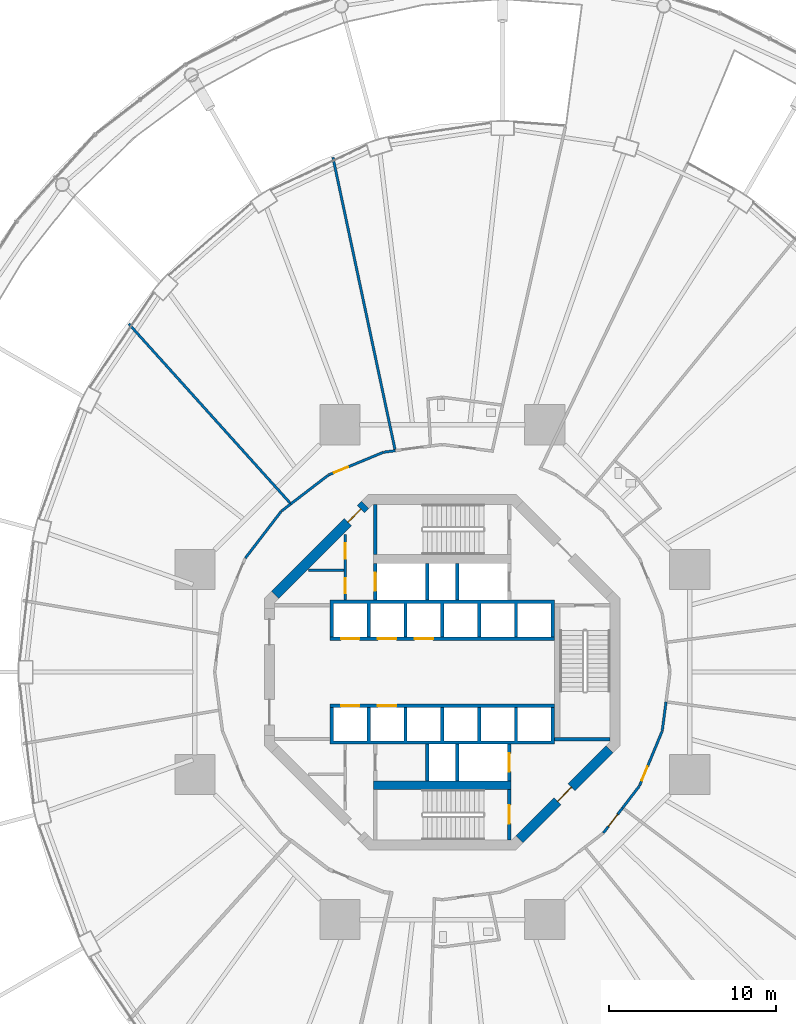
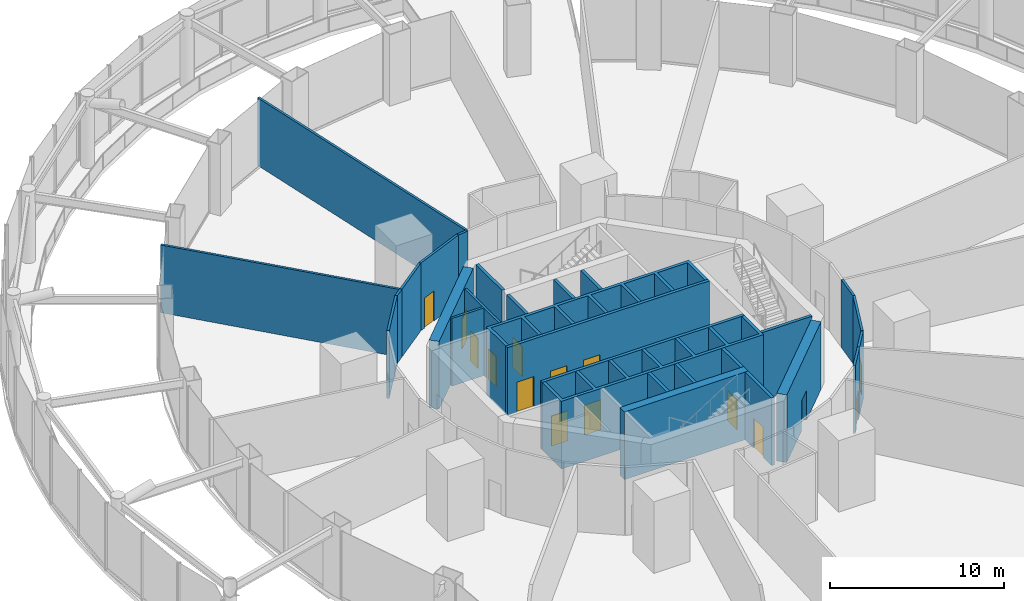
# One storey, part 45 of 52: 29 walls, 15 doors, 15 openings.
"""IFC4 building model written with IfcOpenShell, lengths in metres."""

from ifc_helpers import new_model, si_unit, direction, frame, frame_2d, origin, place, context, subcontext, project, spatial, polyline, rectangle, outline, extrude, material, layer, layer_set, type_object, element, fill, save


model = new_model("IFC4")

# Units and contexts
model_context = context("Model", 3, precision=1e-05, world=origin(), true_north=direction((0.0, 1.0)))
body_context = subcontext(model_context, "Body", "Model", "MODEL_VIEW")
ifc_project = project(units=[si_unit("LENGTHUNIT", "METRE"), si_unit("AREAUNIT", "SQUARE_METRE"), si_unit("VOLUMEUNIT", "CUBIC_METRE"), si_unit("PLANEANGLEUNIT", "RADIAN"), si_unit("MASSUNIT", "GRAM", prefix="KILO")], contexts=[model_context])

# Site, building, storey
site_placement = place(None, origin())
site = spatial("IfcSite", under=ifc_project, at=site_placement, CompositionType="ELEMENT")
building_placement = place(site_placement, origin())
building = spatial("IfcBuilding", under=site, at=building_placement, Name="Nagisa Residences", CompositionType="ELEMENT")
storey_placement = place(building_placement, frame((0.0, 0.0, 22.0)))
storey = spatial("IfcBuildingStorey", under=building, at=storey_placement, Name="L04", CompositionType="ELEMENT", Elevation=22.0)

# Wall, openings, doors
ifc_material_1 = material(Name="Gypsum board on steel studs", Category="steel")
ifc_layer_1 = layer(ifc_material_1, 0.14990234375)
ifc_layer_set_1 = layer_set([ifc_layer_1], Name="Core partition 150")
wall_type_1 = type_object("IfcWallType", Name="Core partition 150", PredefinedType="PARTITIONING", material=ifc_layer_set_1)
wall_1_placement = place(storey_placement, frame((-5.800048828125, 4.300048828125, 0.0), z_axis=(0.0, 0.0, 1.0), x_axis=(0.0, 1.0, 0.0)))
wall_1 = element("IfcWall", 1, at=wall_1_placement, inside=storey, type_object=wall_type_1, Name="wall:L04:NWp", PredefinedType="PARTITIONING", context=body_context, shape_type="SweptSolid", body=[
    extrude(rectangle(XDim=3.927001953125, YDim=0.14990234375, at=frame_2d((1.96337890625, 0.0))), origin(), (0.0, 0.0, 1.0), 4.739990234375),
])
opening_1_placement = place(wall_1_placement, frame((0.41259765625, 0.0, 0.0)))
opening_1 = element("IfcOpeningElement", 2, at=opening_1_placement, cuts=wall_1, Name="Opening L04-C12", PredefinedType="OPENING", context=body_context, shape_type="SweptSolid", body=[
    extrude(rectangle(XDim=0.89990234375, YDim=2.10009765625, at=frame_2d((0.449951171875, 1.050048828125))), frame((0.0, 0.0849609375, 0.0), z_axis=(0.0, -1.0, 0.0), x_axis=(1.0, 0.0, 0.0)), (0.0, 0.0, 1.0), 0.169921875),
])
opening_2_placement = place(wall_1_placement, frame((2.488525390625, 0.0, 0.0)))
opening_2 = element("IfcOpeningElement", 3, at=opening_2_placement, cuts=wall_1, Name="Opening L04-C13", PredefinedType="OPENING", context=body_context, shape_type="SweptSolid", body=[
    extrude(rectangle(XDim=0.89990234375, YDim=2.10009765625, at=frame_2d((0.449951171875, 1.050048828125))), frame((0.0, 0.0849609375, 0.0), z_axis=(0.0, -1.0, 0.0), x_axis=(1.0, 0.0, 0.0)), (0.0, 0.0, 1.0), 0.169921875),
])
ifc_material_2 = material(Name="Steel fire door", Category="steel")
door_type_1 = type_object("IfcDoorType", Name="Fire door EI30 900x2100 single swing", OperationType="NOTDEFINED", PredefinedType="DOOR", material=ifc_material_2)
door_1_placement = place(opening_1_placement, origin())
door_1 = element("IfcDoor", 4, at=door_1_placement, inside=storey, type_object=door_type_1, Name="Linen store door L04", OperationType="SINGLE_SWING_RIGHT", OverallHeight=2.10009765625, OverallWidth=0.89990234375, PredefinedType="DOOR", context=body_context, shape_type="SweptSolid", body=[
    extrude(rectangle(XDim=0.89990234375, YDim=2.10009765625, at=frame_2d((0.449951171875, 1.050048828125))), frame((0.0, 0.02490234375, 0.0), z_axis=(0.0, -1.0, 0.0), x_axis=(1.0, 0.0, 0.0)), (0.0, 0.0, 1.0), 0.050048828125),
])
fill(opening_1, door_1)
door_2_placement = place(opening_2_placement, origin())
door_2 = element("IfcDoor", 5, at=door_2_placement, inside=storey, type_object=door_type_1, Name="Refuse room door L04", OperationType="SINGLE_SWING_RIGHT", OverallHeight=2.10009765625, OverallWidth=0.89990234375, PredefinedType="DOOR", context=body_context, shape_type="SweptSolid", body=[
    extrude(rectangle(XDim=0.89990234375, YDim=2.10009765625, at=frame_2d((0.449951171875, 1.050048828125))), frame((0.0, 0.02490234375, 0.0), z_axis=(0.0, -1.0, 0.0), x_axis=(1.0, 0.0, 0.0)), (0.0, 0.0, 1.0), 0.050048828125),
])
fill(opening_2, door_2)

# Wall
wall_2_placement = place(storey_placement, frame((-8.0009765625, 6.10009765625, 0.0), z_axis=(0.0, 0.0, 1.0), x_axis=(1.0, 0.0, 0.0)))
element("IfcWall", 6, at=wall_2_placement, inside=storey, type_object=wall_type_1, Name="wall:L04:NWq", PredefinedType="PARTITIONING", context=body_context, shape_type="SweptSolid", body=[
    extrude(rectangle(XDim=2.1259765625, YDim=0.14990234375, at=frame_2d((1.06298828125, 0.0))), origin(), (0.0, 0.0, 1.0), 4.739990234375),
])

# Wall, opening, door
ifc_material_3 = material(Name="Concrete C60", Category="concrete")
ifc_layer_2 = layer(ifc_material_3, 0.60009765625)
ifc_layer_set_2 = layer_set([ifc_layer_2], Name="Core shear wall 600")
wall_type_2 = type_object("IfcWallType", Name="Core shear wall 600", PredefinedType="SHEAR", material=ifc_layer_set_2)
wall_3_placement = place(storey_placement, frame((-4.613037109375, 9.98828125, 0.0), z_axis=(0.0, 0.0, 1.0), x_axis=(-0.707106781187, -0.707106781187, 0.0)))
wall_3 = element("IfcWall", 7, at=wall_3_placement, inside=storey, type_object=wall_type_2, Name="wall:L04:core:flat3", PredefinedType="SHEAR", context=body_context, shape_type="SweptSolid", body=[
    extrude(rectangle(XDim=7.601806640625, YDim=0.60009765625, at=frame_2d((3.80078125, 0.0))), origin(), (0.0, 0.0, 1.0), 4.739990234375),
])
opening_3_placement = place(wall_3_placement, frame((0.350830078125, 0.0, 0.0)))
opening_3 = element("IfcOpeningElement", 8, at=opening_3_placement, cuts=wall_3, Name="Opening L04-C21", PredefinedType="OPENING", context=body_context, shape_type="SweptSolid", body=[
    extrude(rectangle(XDim=1.10009765625, YDim=2.10009765625, at=frame_2d((0.550048828125, 1.050048828125))), frame((0.0, 0.31005859375, 0.0), z_axis=(0.0, -1.0, 0.0), x_axis=(1.0, 0.0, 0.0)), (0.0, 0.0, 1.0), 0.6201171875),
])
ifc_material_4 = material(Name="Steel fire door", Category="steel")
door_type_2 = type_object("IfcDoorType", Name="Fire door EI60 1100x2100 single swing", OperationType="NOTDEFINED", PredefinedType="DOOR", material=ifc_material_4)
door_3_placement = place(opening_3_placement, origin())
door_3 = element("IfcDoor", 9, at=door_3_placement, inside=storey, type_object=door_type_2, Name="Service lobby door L04", OperationType="SINGLE_SWING_LEFT", OverallHeight=2.10009765625, OverallWidth=1.10009765625, PredefinedType="DOOR", context=body_context, shape_type="SweptSolid", body=[
    extrude(rectangle(XDim=1.10009765625, YDim=2.10009765625, at=frame_2d((0.550048828125, 1.050048828125))), frame((0.0, 0.02490234375, 0.0), z_axis=(0.0, -1.0, 0.0), x_axis=(1.0, 0.0, 0.0)), (0.0, 0.0, 1.0), 0.050048828125),
])
fill(opening_3, door_3)

wall_4_placement = place(storey_placement, frame((4.613037109375, -9.98828125, 0.0), z_axis=(0.0, 0.0, 1.0), x_axis=(0.707106781187, 0.707106781187, 0.0)))
wall_4 = element("IfcWall", 10, at=wall_4_placement, inside=storey, type_object=wall_type_2, Name="wall:L04:core:flat7", PredefinedType="SHEAR", context=body_context, shape_type="SweptSolid", body=[
    extrude(rectangle(XDim=7.601806640625, YDim=0.60009765625, at=frame_2d((3.80078125, 0.0))), origin(), (0.0, 0.0, 1.0), 4.739990234375),
])
opening_4_placement = place(wall_4_placement, frame((3.200927734375, 0.0, 0.0)))
opening_4 = element("IfcOpeningElement", 11, at=opening_4_placement, cuts=wall_4, Name="Opening L04-C18", PredefinedType="OPENING", context=body_context, shape_type="SweptSolid", body=[
    extrude(rectangle(XDim=1.199951171875, YDim=2.10009765625, at=frame_2d((0.60009765625, 1.050048828125))), frame((0.0, 0.31005859375, 0.0), z_axis=(0.0, -1.0, 0.0), x_axis=(1.0, 0.0, 0.0)), (0.0, 0.0, 1.0), 0.6201171875),
])
ifc_material_5 = material(Name="Steel fire door", Category="steel")
door_type_3 = type_object("IfcDoorType", Name="Fire door EI60 1200x2100 single swing", OperationType="NOTDEFINED", PredefinedType="DOOR", material=ifc_material_5)
door_4_placement = place(opening_4_placement, origin())
door_4 = element("IfcDoor", 12, at=door_4_placement, inside=storey, type_object=door_type_3, Name="Firefighting lobby 2 door L04", OperationType="SINGLE_SWING_LEFT", OverallHeight=2.10009765625, OverallWidth=1.199951171875, PredefinedType="DOOR", context=body_context, shape_type="SweptSolid", body=[
    extrude(rectangle(XDim=1.199951171875, YDim=2.10009765625, at=frame_2d((0.60009765625, 1.050048828125))), frame((0.0, 0.02490234375, 0.0), z_axis=(0.0, -1.0, 0.0), x_axis=(1.0, 0.0, 0.0)), (0.0, 0.0, 1.0), 0.050048828125),
])
fill(opening_4, door_4)

ifc_material_6 = material(Name="Concrete C60", Category="concrete")
ifc_layer_3 = layer(ifc_material_6, 0.199951171875)
ifc_layer_set_3 = layer_set([ifc_layer_3], Name="Lift shaft wall 200")
wall_type_3 = type_object("IfcWallType", Name="Lift shaft wall 200", PredefinedType="SOLIDWALL", material=ifc_layer_set_3)
wall_5_placement = place(storey_placement, frame((-4.0, 4.300048828125, 0.0), z_axis=(0.0, 0.0, 1.0), x_axis=(0.0, 1.0, 0.0)))
wall_5 = element("IfcWall", 13, at=wall_5_placement, inside=storey, type_object=wall_type_3, Name="wall:L04:Nb4", PredefinedType="SOLIDWALL", context=body_context, shape_type="SweptSolid", body=[
    extrude(rectangle(XDim=2.199951171875, YDim=0.199951171875, at=frame_2d((1.10009765625, 0.0))), origin(), (0.0, 0.0, 1.0), 4.739990234375),
])
opening_5_placement = place(wall_5_placement, frame((0.550048828125, 0.0, 0.0)))
opening_5 = element("IfcOpeningElement", 14, at=opening_5_placement, cuts=wall_5, Name="Opening L04-C08", PredefinedType="OPENING", context=body_context, shape_type="SweptSolid", body=[
    extrude(rectangle(XDim=1.10009765625, YDim=2.10009765625, at=frame_2d((0.550048828125, 1.050048828125))), frame((0.0, 0.10986328125, 0.0), z_axis=(0.0, -1.0, 0.0), x_axis=(1.0, 0.0, 0.0)), (0.0, 0.0, 1.0), 0.219970703125),
])
ifc_material_7 = material(Name="Stainless steel", Category="steel")
door_type_4 = type_object("IfcDoorType", Name="Lift landing door 1100x2100", OperationType="DOUBLE_DOOR_SLIDING", PredefinedType="DOOR", material=ifc_material_7)
door_5_placement = place(opening_5_placement, origin())
door_5 = element("IfcDoor", 15, at=door_5_placement, inside=storey, type_object=door_type_4, Name="Landing door SV L04", OperationType="DOUBLE_DOOR_SLIDING", OverallHeight=2.10009765625, OverallWidth=1.10009765625, PredefinedType="DOOR", context=body_context, shape_type="SweptSolid", body=[
    extrude(rectangle(XDim=1.10009765625, YDim=2.10009765625, at=frame_2d((0.550048828125, 1.050048828125))), frame((0.0, 0.02490234375, 0.0), z_axis=(0.0, -1.0, 0.0), x_axis=(1.0, 0.0, 0.0)), (0.0, 0.0, 1.0), 0.050048828125),
])
fill(opening_5, door_5)

# Wall, openings, doors
wall_6_placement = place(storey_placement, frame((-6.699951171875, 2.0, 0.0), z_axis=(0.0, 0.0, 1.0), x_axis=(1.0, 0.0, 0.0)))
wall_6 = element("IfcWall", 16, at=wall_6_placement, inside=storey, type_object=wall_type_3, Name="wall:L04:Nfront", PredefinedType="SOLIDWALL", context=body_context, shape_type="SweptSolid", body=[
    extrude(rectangle(XDim=13.39990234375, YDim=0.199951171875, at=frame_2d((6.699951171875, 0.0))), origin(), (0.0, 0.0, 1.0), 4.739990234375),
])
opening_6_placement = place(wall_6_placement, frame((0.64990234375, 0.0, 0.0)))
opening_6 = element("IfcOpeningElement", 17, at=opening_6_placement, cuts=wall_6, Name="Opening L04-C01", PredefinedType="OPENING", context=body_context, shape_type="SweptSolid", body=[
    extrude(rectangle(XDim=1.10009765625, YDim=2.10009765625, at=frame_2d((0.550048828125, 1.050048828125))), frame((0.0, 0.10986328125, 0.0), z_axis=(0.0, -1.0, 0.0), x_axis=(1.0, 0.0, 0.0)), (0.0, 0.0, 1.0), 0.219970703125),
])
opening_7_placement = place(wall_6_placement, frame((2.85009765625, 0.0, 0.0)))
opening_7 = element("IfcOpeningElement", 18, at=opening_7_placement, cuts=wall_6, Name="Opening L04-C02", PredefinedType="OPENING", context=body_context, shape_type="SweptSolid", body=[
    extrude(rectangle(XDim=1.10009765625, YDim=2.10009765625, at=frame_2d((0.550048828125, 1.050048828125))), frame((0.0, 0.10986328125, 0.0), z_axis=(0.0, -1.0, 0.0), x_axis=(1.0, 0.0, 0.0)), (0.0, 0.0, 1.0), 0.219970703125),
])
opening_8_placement = place(wall_6_placement, frame((5.050048828125, 0.0, 0.0)))
opening_8 = element("IfcOpeningElement", 19, at=opening_8_placement, cuts=wall_6, Name="Opening L04-C03", PredefinedType="OPENING", context=body_context, shape_type="SweptSolid", body=[
    extrude(rectangle(XDim=1.10009765625, YDim=2.10009765625, at=frame_2d((0.550048828125, 1.050048828125))), frame((0.0, 0.10986328125, 0.0), z_axis=(0.0, -1.0, 0.0), x_axis=(1.0, 0.0, 0.0)), (0.0, 0.0, 1.0), 0.219970703125),
])
door_6_placement = place(opening_6_placement, origin())
door_6 = element("IfcDoor", 20, at=door_6_placement, inside=storey, type_object=door_type_4, Name="Landing door A1 L04", OperationType="DOUBLE_DOOR_SLIDING", OverallHeight=2.10009765625, OverallWidth=1.10009765625, PredefinedType="DOOR", context=body_context, shape_type="SweptSolid", body=[
    extrude(rectangle(XDim=1.10009765625, YDim=2.10009765625, at=frame_2d((0.550048828125, 1.050048828125))), frame((0.0, 0.02490234375, 0.0), z_axis=(0.0, -1.0, 0.0), x_axis=(1.0, 0.0, 0.0)), (0.0, 0.0, 1.0), 0.050048828125),
])
fill(opening_6, door_6)
door_7_placement = place(opening_7_placement, origin())
door_7 = element("IfcDoor", 21, at=door_7_placement, inside=storey, type_object=door_type_4, Name="Landing door A2 L04", OperationType="DOUBLE_DOOR_SLIDING", OverallHeight=2.10009765625, OverallWidth=1.10009765625, PredefinedType="DOOR", context=body_context, shape_type="SweptSolid", body=[
    extrude(rectangle(XDim=1.10009765625, YDim=2.10009765625, at=frame_2d((0.550048828125, 1.050048828125))), frame((0.0, 0.02490234375, 0.0), z_axis=(0.0, -1.0, 0.0), x_axis=(1.0, 0.0, 0.0)), (0.0, 0.0, 1.0), 0.050048828125),
])
fill(opening_7, door_7)
door_8_placement = place(opening_8_placement, origin())
door_8 = element("IfcDoor", 22, at=door_8_placement, inside=storey, type_object=door_type_4, Name="Landing door A3 L04", OperationType="DOUBLE_DOOR_SLIDING", OverallHeight=2.10009765625, OverallWidth=1.10009765625, PredefinedType="DOOR", context=body_context, shape_type="SweptSolid", body=[
    extrude(rectangle(XDim=1.10009765625, YDim=2.10009765625, at=frame_2d((0.550048828125, 1.050048828125))), frame((0.0, 0.02490234375, 0.0), z_axis=(0.0, -1.0, 0.0), x_axis=(1.0, 0.0, 0.0)), (0.0, 0.0, 1.0), 0.050048828125),
])
fill(opening_8, door_8)

# Wall, opening, door
wall_7_placement = place(storey_placement, frame((4.0, -6.5, 0.0), z_axis=(0.0, 0.0, 1.0), x_axis=(0.0, 1.0, 0.0)))
wall_7 = element("IfcWall", 23, at=wall_7_placement, inside=storey, type_object=wall_type_3, Name="wall:L04:Sb3", PredefinedType="SOLIDWALL", context=body_context, shape_type="SweptSolid", body=[
    extrude(rectangle(XDim=2.199951171875, YDim=0.199951171875, at=frame_2d((1.10009765625, 0.0))), origin(), (0.0, 0.0, 1.0), 4.739990234375),
])
opening_9_placement = place(wall_7_placement, frame((0.550048828125, 0.0, 0.0)))
opening_9 = element("IfcOpeningElement", 24, at=opening_9_placement, cuts=wall_7, Name="Opening L04-C07", PredefinedType="OPENING", context=body_context, shape_type="SweptSolid", body=[
    extrude(rectangle(XDim=1.10009765625, YDim=2.10009765625, at=frame_2d((0.550048828125, 1.050048828125))), frame((0.0, 0.10986328125, 0.0), z_axis=(0.0, -1.0, 0.0), x_axis=(1.0, 0.0, 0.0)), (0.0, 0.0, 1.0), 0.219970703125),
])
door_9_placement = place(opening_9_placement, origin())
door_9 = element("IfcDoor", 25, at=door_9_placement, inside=storey, type_object=door_type_4, Name="Landing door FL2 L04", OperationType="DOUBLE_DOOR_SLIDING", OverallHeight=2.10009765625, OverallWidth=1.10009765625, PredefinedType="DOOR", context=body_context, shape_type="SweptSolid", body=[
    extrude(rectangle(XDim=1.10009765625, YDim=2.10009765625, at=frame_2d((0.550048828125, 1.050048828125))), frame((0.0, 0.02490234375, 0.0), z_axis=(0.0, -1.0, 0.0), x_axis=(1.0, 0.0, 0.0)), (0.0, 0.0, 1.0), 0.050048828125),
])
fill(opening_9, door_9)

# Wall, openings, doors
wall_8_placement = place(storey_placement, frame((-6.699951171875, -2.0, 0.0), z_axis=(0.0, 0.0, 1.0), x_axis=(1.0, 0.0, 0.0)))
wall_8 = element("IfcWall", 26, at=wall_8_placement, inside=storey, type_object=wall_type_3, Name="wall:L04:Sfront", PredefinedType="SOLIDWALL", context=body_context, shape_type="SweptSolid", body=[
    extrude(rectangle(XDim=13.39990234375, YDim=0.199951171875, at=frame_2d((6.699951171875, 0.0))), origin(), (0.0, 0.0, 1.0), 4.739990234375),
])
opening_10_placement = place(wall_8_placement, frame((0.64990234375, 0.0, 0.0)))
opening_10 = element("IfcOpeningElement", 27, at=opening_10_placement, cuts=wall_8, Name="Opening L04-C04", PredefinedType="OPENING", context=body_context, shape_type="SweptSolid", body=[
    extrude(rectangle(XDim=1.10009765625, YDim=2.10009765625, at=frame_2d((0.550048828125, 1.050048828125))), frame((0.0, 0.10986328125, 0.0), z_axis=(0.0, -1.0, 0.0), x_axis=(1.0, 0.0, 0.0)), (0.0, 0.0, 1.0), 0.219970703125),
])
opening_11_placement = place(wall_8_placement, frame((2.85009765625, 0.0, 0.0)))
opening_11 = element("IfcOpeningElement", 28, at=opening_11_placement, cuts=wall_8, Name="Opening L04-C05", PredefinedType="OPENING", context=body_context, shape_type="SweptSolid", body=[
    extrude(rectangle(XDim=1.10009765625, YDim=2.10009765625, at=frame_2d((0.550048828125, 1.050048828125))), frame((0.0, 0.10986328125, 0.0), z_axis=(0.0, -1.0, 0.0), x_axis=(1.0, 0.0, 0.0)), (0.0, 0.0, 1.0), 0.219970703125),
])
door_10_placement = place(opening_10_placement, origin())
door_10 = element("IfcDoor", 29, at=door_10_placement, inside=storey, type_object=door_type_4, Name="Landing door A4 L04", OperationType="DOUBLE_DOOR_SLIDING", OverallHeight=2.10009765625, OverallWidth=1.10009765625, PredefinedType="DOOR", context=body_context, shape_type="SweptSolid", body=[
    extrude(rectangle(XDim=1.10009765625, YDim=2.10009765625, at=frame_2d((0.550048828125, 1.050048828125))), frame((0.0, 0.02490234375, 0.0), z_axis=(0.0, -1.0, 0.0), x_axis=(1.0, 0.0, 0.0)), (0.0, 0.0, 1.0), 0.050048828125),
])
fill(opening_10, door_10)
door_11_placement = place(opening_11_placement, origin())
door_11 = element("IfcDoor", 30, at=door_11_placement, inside=storey, type_object=door_type_4, Name="Landing door A5 L04", OperationType="DOUBLE_DOOR_SLIDING", OverallHeight=2.10009765625, OverallWidth=1.10009765625, PredefinedType="DOOR", context=body_context, shape_type="SweptSolid", body=[
    extrude(rectangle(XDim=1.10009765625, YDim=2.10009765625, at=frame_2d((0.550048828125, 1.050048828125))), frame((0.0, 0.02490234375, 0.0), z_axis=(0.0, -1.0, 0.0), x_axis=(1.0, 0.0, 0.0)), (0.0, 0.0, 1.0), 0.050048828125),
])
fill(opening_11, door_11)

# Walls
for number, where, z_axis, x_axis, name in (
    (31, (-0.89990234375, -6.5, 0.0), (0.0, 0.0, 1.0), (0.0, 1.0, 0.0), "wall:L04:Sb1"),
    (32, (0.89990234375, -6.5, 0.0), (0.0, 0.0, 1.0), (0.0, 1.0, 0.0), "wall:L04:Sb2"),
):
    element("IfcWall", number, at=place(storey_placement, frame(where, z_axis=z_axis, x_axis=x_axis)), inside=storey, type_object=wall_type_3, Name=name, PredefinedType="SOLIDWALL", context=body_context, shape_type="SweptSolid", body=[
        extrude(rectangle(XDim=2.199951171875, YDim=0.199951171875, at=frame_2d((1.10009765625, 0.0))), origin(), (0.0, 0.0, 1.0), 4.739990234375),
    ])
wall_9_placement = place(storey_placement, origin())
element("IfcWall", 33, at=wall_9_placement, inside=storey, type_object=wall_type_3, Name="wall:L04:Sback", PredefinedType="SOLIDWALL", context=body_context, shape_type="SweptSolid", body=[
    extrude(outline(polyline([(-6.699951171875, -2.10009765625), (-6.5, -2.10009765625), (-6.5, -4.10009765625), (-4.5, -4.10009765625), (-4.5, -2.10009765625), (-4.300048828125, -2.10009765625), (-4.300048828125, -4.10009765625), (-2.300048828125, -4.10009765625), (-2.300048828125, -2.10009765625), (-2.10009765625, -2.10009765625), (-2.10009765625, -4.10009765625), (-0.10009765625, -4.10009765625), (-0.10009765625, -2.10009765625), (0.10009765625, -2.10009765625), (0.10009765625, -4.10009765625), (2.10009765625, -4.10009765625), (2.10009765625, -2.10009765625), (2.300048828125, -2.10009765625), (2.300048828125, -4.10009765625), (4.300048828125, -4.10009765625), (4.300048828125, -2.10009765625), (4.5, -2.10009765625), (4.5, -4.10009765625), (6.5, -4.10009765625), (6.5, -2.10009765625), (6.699951171875, -2.10009765625), (6.699951171875, -4.300048828125), (-6.699951171875, -4.300048828125), (-6.699951171875, -2.10009765625)])), origin(), (0.0, 0.0, 1.0), 4.739990234375),
])
for number, where, z_axis, x_axis, name in (
    (34, (-0.89990234375, 4.300048828125, 0.0), (0.0, 0.0, 1.0), (0.0, 1.0, 0.0), "wall:L04:Nb1"),
    (35, (0.89990234375, 4.300048828125, 0.0), (0.0, 0.0, 1.0), (0.0, 1.0, 0.0), "wall:L04:Nb2"),
):
    element("IfcWall", number, at=place(storey_placement, frame(where, z_axis=z_axis, x_axis=x_axis)), inside=storey, type_object=wall_type_3, Name=name, PredefinedType="SOLIDWALL", context=body_context, shape_type="SweptSolid", body=[
        extrude(rectangle(XDim=2.199951171875, YDim=0.199951171875, at=frame_2d((1.10009765625, 0.0))), origin(), (0.0, 0.0, 1.0), 4.739990234375),
    ])
wall_10_placement = place(storey_placement, origin())
element("IfcWall", 36, at=wall_10_placement, inside=storey, type_object=wall_type_3, Name="wall:L04:Nback", PredefinedType="SOLIDWALL", context=body_context, shape_type="SweptSolid", body=[
    extrude(outline(polyline([(-6.5, 2.10009765625), (-6.699951171875, 2.10009765625), (-6.699951171875, 4.300048828125), (6.699951171875, 4.300048828125), (6.699951171875, 2.10009765625), (6.5, 2.10009765625), (6.5, 4.10009765625), (4.5, 4.10009765625), (4.5, 2.10009765625), (4.300048828125, 2.10009765625), (4.300048828125, 4.10009765625), (2.300048828125, 4.10009765625), (2.300048828125, 2.10009765625), (2.10009765625, 2.10009765625), (2.10009765625, 4.10009765625), (0.10009765625, 4.10009765625), (0.10009765625, 2.10009765625), (-0.10009765625, 2.10009765625), (-0.10009765625, 4.10009765625), (-2.10009765625, 4.10009765625), (-2.10009765625, 2.10009765625), (-2.300048828125, 2.10009765625), (-2.300048828125, 4.10009765625), (-4.300048828125, 4.10009765625), (-4.300048828125, 2.10009765625), (-4.5, 2.10009765625), (-4.5, 4.10009765625), (-6.5, 4.10009765625), (-6.5, 2.10009765625)])), origin(), (0.0, 0.0, 1.0), 4.739990234375),
])
ifc_material_8 = material(Name="Gypsum board on steel studs", Category="steel")
ifc_layer_4 = layer(ifc_material_8, 0.14990234375)
ifc_layer_set_4 = layer_set([ifc_layer_4], Name="Room partition EI60 150")
wall_type_4 = type_object("IfcWallType", Name="Room partition EI60 150", PredefinedType="PARTITIONING", material=ifc_layer_set_4)
wall_11_placement = place(storey_placement, frame((-11.770751953125, 6.809326171875, 0.0), z_axis=(0.0, 0.0, 1.0), x_axis=(0.608736710054, 0.793372307201, 0.0)))
element("IfcWall", 37, at=wall_11_placement, inside=storey, type_object=wall_type_4, Name="wall:L04:am008", PredefinedType="PARTITIONING", context=body_context, shape_type="SweptSolid", body=[
    extrude(rectangle(XDim=3.526611328125, YDim=0.14990234375, at=frame_2d((1.76318359375, 0.0))), origin(), (0.0, 0.0, 1.0), 4.739990234375),
])
wall_12_placement = place(storey_placement, frame((-9.607177734375, 9.6240234375, 0.0), z_axis=(0.0, 0.0, 1.0), x_axis=(0.793399175387, 0.608701690893, 0.0)))
element("IfcWall", 38, at=wall_12_placement, inside=storey, type_object=wall_type_4, Name="wall:L04:am010", PredefinedType="PARTITIONING", context=body_context, shape_type="SweptSolid", body=[
    extrude(rectangle(XDim=0.701904296875, YDim=0.14990234375, at=frame_2d((0.35107421875, 0.0))), origin(), (0.0, 0.0, 1.0), 4.739990234375),
])
wall_13_placement = place(storey_placement, frame((-9.1005859375, 10.107177734375, 0.0), z_axis=(0.0, 0.0, 1.0), x_axis=(-0.669132472721, 0.743143144994, 0.0)))
element("IfcWall", 39, at=wall_13_placement, inside=storey, type_object=wall_type_4, Name="wall:L04:am012", PredefinedType="PARTITIONING", context=body_context, shape_type="SweptSolid", body=[
    extrude(rectangle(XDim=14.392333984375, YDim=0.14990234375, at=frame_2d((7.1962890625, 0.0))), origin(), (0.0, 0.0, 1.0), 4.739990234375),
])
wall_14_placement = place(storey_placement, frame((-9.05029296875, 10.05126953125, 0.0), z_axis=(0.0, 0.0, 1.0), x_axis=(0.793365630445, 0.608745411834, 0.0)))
element("IfcWall", 40, at=wall_14_placement, inside=storey, type_object=wall_type_4, Name="wall:L04:am013", PredefinedType="PARTITIONING", context=body_context, shape_type="SweptSolid", body=[
    extrude(rectangle(XDim=2.82470703125, YDim=0.14990234375, at=frame_2d((1.412353515625, 0.0))), origin(), (0.0, 0.0, 1.0), 4.739990234375),
])

# Wall, opening, door
wall_15_placement = place(storey_placement, frame((-6.7890625, 11.782470703125, 0.0), z_axis=(0.0, 0.0, 1.0), x_axis=(0.923881838111, 0.382677866108, 0.0)))
wall_15 = element("IfcWall", 41, at=wall_15_placement, inside=storey, type_object=wall_type_4, Name="wall:L04:am014", PredefinedType="PARTITIONING", context=body_context, shape_type="SweptSolid", body=[
    extrude(rectangle(XDim=3.52685546875, YDim=0.14990234375, at=frame_2d((1.763427734375, 0.0))), origin(), (0.0, 0.0, 1.0), 4.739990234375),
])
opening_12_placement = place(wall_15_placement, frame((0.345703125, 0.0, 0.0)))
opening_12 = element("IfcOpeningElement", 42, at=opening_12_placement, cuts=wall_15, Name="Opening L04-A06", PredefinedType="OPENING", context=body_context, shape_type="SweptSolid", body=[
    extrude(rectangle(XDim=0.89990234375, YDim=2.10009765625, at=frame_2d((0.449951171875, 1.050048828125))), frame((0.0, 0.0849609375, 0.0), z_axis=(0.0, -1.0, 0.0), x_axis=(1.0, 0.0, 0.0)), (0.0, 0.0, 1.0), 0.169921875),
])
door_12_placement = place(opening_12_placement, origin())
door_12 = element("IfcDoor", 43, at=door_12_placement, inside=storey, type_object=door_type_1, Name="Music room door", OperationType="SINGLE_SWING_RIGHT", OverallHeight=2.10009765625, OverallWidth=0.89990234375, PredefinedType="DOOR", context=body_context, shape_type="SweptSolid", body=[
    extrude(rectangle(XDim=0.89990234375, YDim=2.10009765625, at=frame_2d((0.449951171875, 1.050048828125))), frame((0.0, 0.02490234375, 0.0), z_axis=(0.0, -1.0, 0.0), x_axis=(1.0, 0.0, 0.0)), (0.0, 0.0, 1.0), 0.050048828125),
])
fill(opening_12, door_12)

# Walls
wall_16_placement = place(storey_placement, frame((-3.508056640625, 13.13818359375, 0.0), z_axis=(0.0, 0.0, 1.0), x_axis=(0.991460212813, 0.130409533429, 0.0)))
element("IfcWall", 44, at=wall_16_placement, inside=storey, type_object=wall_type_4, Name="wall:L04:am015", PredefinedType="PARTITIONING", context=body_context, shape_type="SweptSolid", body=[
    extrude(rectangle(XDim=0.7021484375, YDim=0.14990234375, at=frame_2d((0.35107421875, 0.0))), origin(), (0.0, 0.0, 1.0), 4.739990234375),
])
wall_17_placement = place(storey_placement, frame((-2.82763671875, 13.303466796875, 0.0), z_axis=(0.0, 0.0, 1.0), x_axis=(-0.207919318844, 0.978145979316, 0.0)))
element("IfcWall", 45, at=wall_17_placement, inside=storey, type_object=wall_type_4, Name="wall:L04:am016", PredefinedType="PARTITIONING", context=body_context, shape_type="SweptSolid", body=[
    extrude(rectangle(XDim=17.838623046875, YDim=0.14990234375, at=frame_2d((8.91943359375, 0.0))), origin(), (0.0, 0.0, 1.0), 4.739990234375),
])

# Wall, opening, door
wall_18_placement = place(storey_placement, frame((10.773681640625, -8.10888671875, 0.0), z_axis=(0.0, 0.0, 1.0), x_axis=(-0.608754453805, -0.793358692504, 0.0)))
wall_18 = element("IfcWall", 46, at=wall_18_placement, inside=storey, type_object=wall_type_4, Name="wall:L04:am044", PredefinedType="PARTITIONING", context=body_context, shape_type="SweptSolid", body=[
    extrude(rectangle(XDim=1.888427734375, YDim=0.14990234375, at=frame_2d((0.9443359375, 0.0))), origin(), (0.0, 0.0, 1.0), 4.739990234375),
])
opening_13_placement = place(wall_18_placement, frame((0.500244140625, 0.0, 0.0)))
opening_13 = element("IfcOpeningElement", 47, at=opening_13_placement, cuts=wall_18, Name="Opening L04-A13", PredefinedType="OPENING", context=body_context, shape_type="SweptSolid", body=[
    extrude(rectangle(XDim=0.89990234375, YDim=2.10009765625, at=frame_2d((0.449951171875, 1.050048828125))), frame((0.0, 0.0849609375, 0.0), z_axis=(0.0, -1.0, 0.0), x_axis=(1.0, 0.0, 0.0)), (0.0, 0.0, 1.0), 0.169921875),
])
door_13_placement = place(opening_13_placement, origin())
door_13 = element("IfcDoor", 48, at=door_13_placement, inside=storey, type_object=door_type_1, Name="Nursery door", OperationType="SINGLE_SWING_LEFT", OverallHeight=2.10009765625, OverallWidth=0.89990234375, PredefinedType="DOOR", context=body_context, shape_type="SweptSolid", body=[
    extrude(rectangle(XDim=0.89990234375, YDim=2.10009765625, at=frame_2d((0.449951171875, 1.050048828125))), frame((0.0, 0.02490234375, 0.0), z_axis=(0.0, -1.0, 0.0), x_axis=(1.0, 0.0, 0.0)), (0.0, 0.0, 1.0), 0.050048828125),
])
fill(opening_13, door_13)

# Wall
wall_19_placement = place(storey_placement, frame((11.770751953125, -6.809326171875, 0.0), z_axis=(0.0, 0.0, 1.0), x_axis=(-0.608716251771, -0.793388003961, 0.0)))
element("IfcWall", 49, at=wall_19_placement, inside=storey, type_object=wall_type_4, Name="wall:L04:am048", PredefinedType="PARTITIONING", context=body_context, shape_type="SweptSolid", body=[
    extrude(rectangle(XDim=1.637939453125, YDim=0.14990234375, at=frame_2d((0.81884765625, 0.0))), origin(), (0.0, 0.0, 1.0), 4.739990234375),
])

# Wall, opening, door
wall_20_placement = place(storey_placement, frame((13.132080078125, -3.53076171875, 0.0), z_axis=(0.0, 0.0, 1.0), x_axis=(-0.382677866108, -0.923881838111, 0.0)))
wall_20 = element("IfcWall", 50, at=wall_20_placement, inside=storey, type_object=wall_type_4, Name="wall:L04:am051", PredefinedType="PARTITIONING", context=body_context, shape_type="SweptSolid", body=[
    extrude(rectangle(XDim=3.52685546875, YDim=0.14990234375, at=frame_2d((1.763427734375, 0.0))), origin(), (0.0, 0.0, 1.0), 4.739990234375),
])
opening_14_placement = place(wall_20_placement, frame((2.281005859375, 0.0, 0.0)))
opening_14 = element("IfcOpeningElement", 51, at=opening_14_placement, cuts=wall_20, Name="Opening L04-A14", PredefinedType="OPENING", context=body_context, shape_type="SweptSolid", body=[
    extrude(rectangle(XDim=0.89990234375, YDim=2.10009765625, at=frame_2d((0.449951171875, 1.050048828125))), frame((0.0, 0.0849609375, 0.0), z_axis=(0.0, -1.0, 0.0), x_axis=(1.0, 0.0, 0.0)), (0.0, 0.0, 1.0), 0.169921875),
])
door_14_placement = place(opening_14_placement, origin())
door_14 = element("IfcDoor", 52, at=door_14_placement, inside=storey, type_object=door_type_1, Name="Owners' storage lockers annexe door", OperationType="SINGLE_SWING_RIGHT", OverallHeight=2.10009765625, OverallWidth=0.89990234375, PredefinedType="DOOR", context=body_context, shape_type="SweptSolid", body=[
    extrude(rectangle(XDim=0.89990234375, YDim=2.10009765625, at=frame_2d((0.449951171875, 1.050048828125))), frame((0.0, 0.02490234375, 0.0), z_axis=(0.0, -1.0, 0.0), x_axis=(1.0, 0.0, 0.0)), (0.0, 0.0, 1.0), 0.050048828125),
])
fill(opening_14, door_14)

# Wall
wall_21_placement = place(storey_placement, frame((13.366455078125, -1.774169921875, 0.0), z_axis=(0.0, 0.0, 1.0), x_axis=(-0.130526735914, -0.991444789795, 0.0)))
element("IfcWall", 53, at=wall_21_placement, inside=storey, type_object=wall_type_4, Name="wall:L04:am053", PredefinedType="PARTITIONING", context=body_context, shape_type="SweptSolid", body=[
    extrude(rectangle(XDim=1.748779296875, YDim=0.14990234375, at=frame_2d((0.87451171875, 0.0))), origin(), (0.0, 0.0, 1.0), 4.739990234375),
])

# Wall, opening, door
ifc_material_9 = material(Name="Concrete C60", Category="concrete")
ifc_layer_5 = layer(ifc_material_9, 0.199951171875)
ifc_layer_set_5 = layer_set([ifc_layer_5], Name="Stair enclosure wall 200")
wall_type_5 = type_object("IfcWallType", Name="Stair enclosure wall 200", PredefinedType="SOLIDWALL", material=ifc_layer_set_5)
wall_22_placement = place(storey_placement, frame((4.0, -10.024658203125, 0.0), z_axis=(0.0, 0.0, 1.0), x_axis=(0.0, 1.0, 0.0)))
wall_22 = element("IfcWall", 54, at=wall_22_placement, inside=storey, type_object=wall_type_5, Name="wall:L04:SS_e", PredefinedType="SOLIDWALL", context=body_context, shape_type="SweptSolid", body=[
    extrude(rectangle(XDim=3.0, YDim=0.199951171875, at=frame_2d((1.5, 0.0))), origin(), (0.0, 0.0, 1.0), 4.739990234375),
])
opening_15_placement = place(wall_22_placement, frame((0.974609375, 0.0, 0.0)))
opening_15 = element("IfcOpeningElement", 55, at=opening_15_placement, cuts=wall_22, Name="Opening L04-C11", PredefinedType="OPENING", context=body_context, shape_type="SweptSolid", body=[
    extrude(rectangle(XDim=1.10009765625, YDim=2.10009765625, at=frame_2d((0.550048828125, 1.050048828125))), frame((0.0, 0.10986328125, 0.0), z_axis=(0.0, -1.0, 0.0), x_axis=(1.0, 0.0, 0.0)), (0.0, 0.0, 1.0), 0.219970703125),
])
ifc_material_10 = material(Name="Steel fire door", Category="steel")
door_type_5 = type_object("IfcDoorType", Name="Fire door EI90 1100x2100 single swing", OperationType="NOTDEFINED", PredefinedType="DOOR", material=ifc_material_10)
door_15_placement = place(opening_15_placement, origin())
door_15 = element("IfcDoor", 56, at=door_15_placement, inside=storey, type_object=door_type_5, Name="Stair door ST-S L04", OperationType="SINGLE_SWING_RIGHT", OverallHeight=2.10009765625, OverallWidth=1.10009765625, PredefinedType="DOOR", context=body_context, shape_type="SweptSolid", body=[
    extrude(rectangle(XDim=1.10009765625, YDim=2.10009765625, at=frame_2d((0.550048828125, 1.050048828125))), frame((0.0, 0.02490234375, 0.0), z_axis=(0.0, -1.0, 0.0), x_axis=(1.0, 0.0, 0.0)), (0.0, 0.0, 1.0), 0.050048828125),
])
fill(opening_15, door_15)

# Walls
wall_23_placement = place(storey_placement, origin())
element("IfcWall", 57, at=wall_23_placement, inside=storey, type_object=wall_type_5, Name="wall:L04:SN_w", PredefinedType="SOLIDWALL", context=body_context, shape_type="SweptSolid", body=[
    extrude(outline(polyline([(-3.89990234375, 7.024658203125), (-4.10009765625, 7.024658203125), (-4.10009765625, 10.024658203125), (-3.89990234375, 10.024658203125), (-3.89990234375, 7.024658203125)])), origin(), (0.0, 0.0, 1.0), 4.739990234375),
])
wall_24_placement = place(storey_placement, origin())
element("IfcWall", 58, at=wall_24_placement, inside=storey, type_object=wall_type_5, Name="wall:L04:SS_n", PredefinedType="SOLIDWALL", context=body_context, shape_type="SweptSolid", body=[
    extrude(outline(polyline([(4.10009765625, -7.024658203125), (-4.10009765625, -7.024658203125), (-4.10009765625, -6.5), (4.10009765625, -6.5), (4.10009765625, -7.024658203125)])), origin(), (0.0, 0.0, 1.0), 4.739990234375),
])
wall_25_placement = place(storey_placement, origin())
element("IfcWall", 59, at=wall_25_placement, inside=storey, type_object=wall_type_5, Name="wall:L04:SE_s", PredefinedType="SOLIDWALL", context=body_context, shape_type="SweptSolid", body=[
    extrude(outline(polyline([(10.024658203125, -4.10009765625), (6.699951171875, -4.10009765625), (6.699951171875, -3.89990234375), (10.024658203125, -3.89990234375), (10.024658203125, -4.10009765625)])), origin(), (0.0, 0.0, 1.0), 4.739990234375),
])

save(model, "model.ifc")
